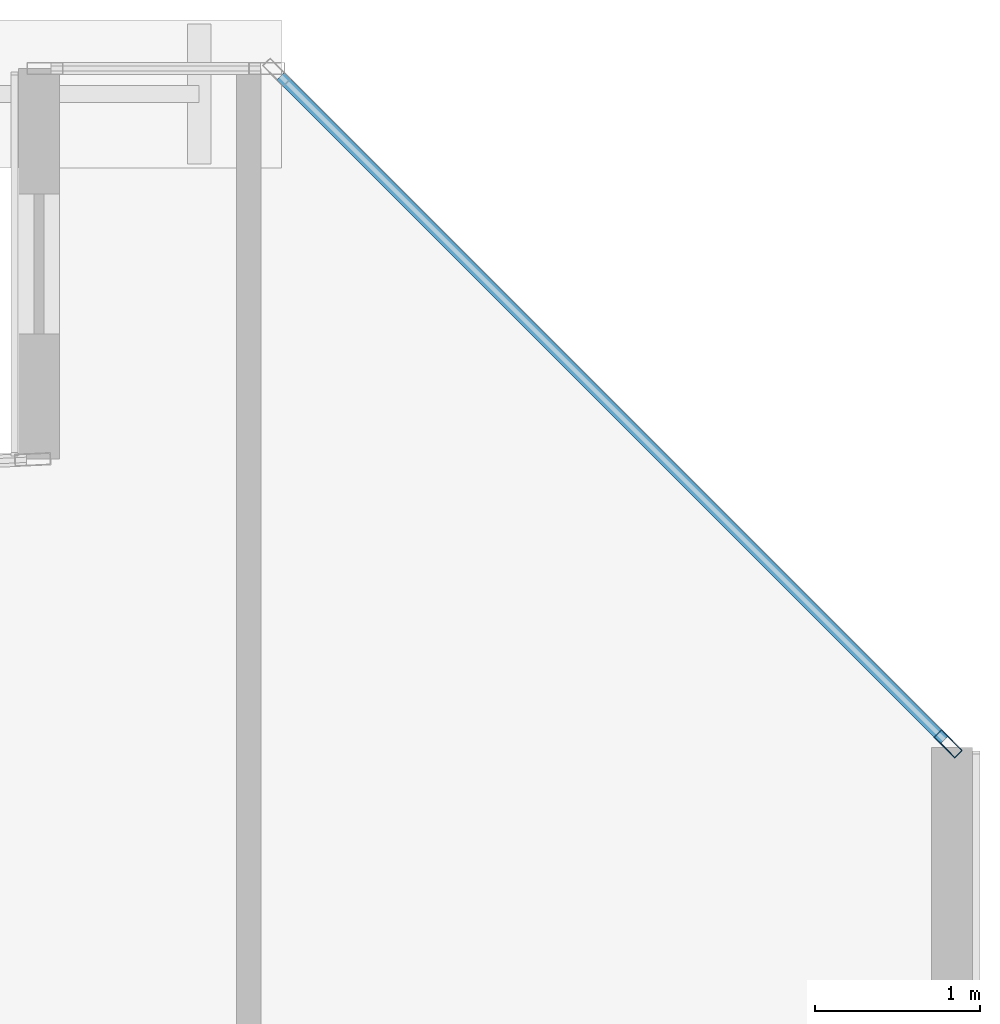
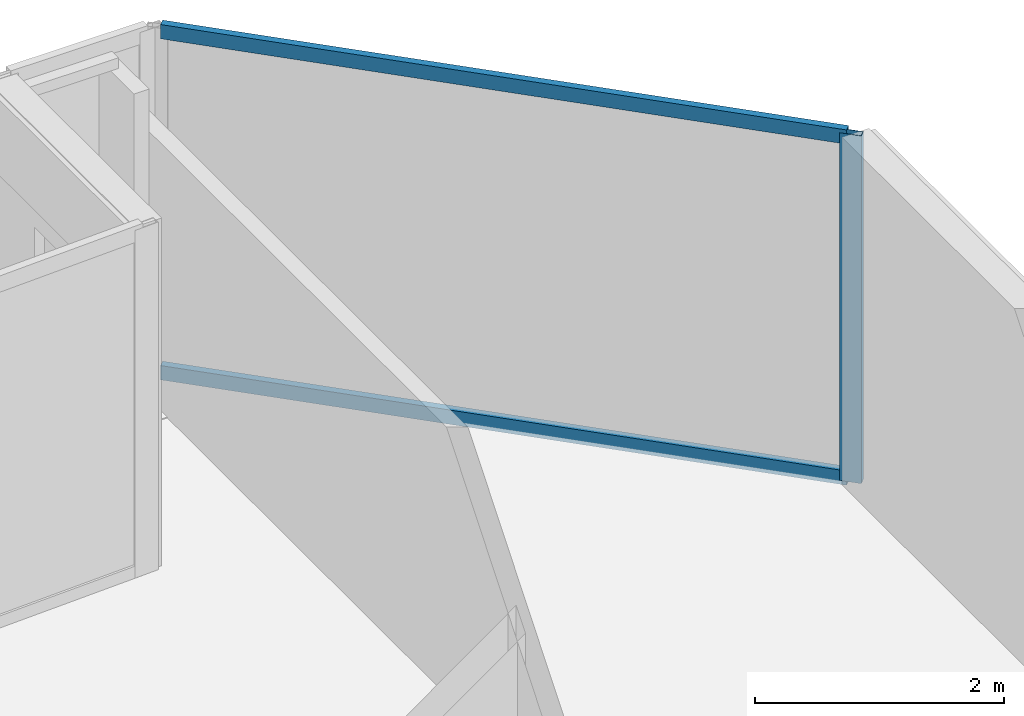
# One storey, part 25 of 39: 3 members, 1 element without a shape of its own.
"""IFC4 building model written with IfcOpenShell, lengths in metres."""

from ifc_helpers import new_model, si_unit, direction, frame, origin, origin_2d, place, context, subcontext, project, spatial, hollow_rectangle, extrude, material, layer, layer_set, material_profile, profile_set, type_object, element, aggregate, save


model = new_model("IFC4")

# Units and contexts
model_context = context("Model", 3, precision=1e-05, world=origin(), true_north=direction((0.0, 1.0)))
body_context = subcontext(model_context, "Body", "Model", "MODEL_VIEW")
ifc_project = project(units=[si_unit("LENGTHUNIT", "METRE"), si_unit("AREAUNIT", "SQUARE_METRE"), si_unit("VOLUMEUNIT", "CUBIC_METRE"), si_unit("PLANEANGLEUNIT", "RADIAN"), si_unit("MASSUNIT", "GRAM", prefix="KILO")], contexts=[model_context])

# Site, building, storey
site_placement = place(None, origin())
site = spatial("IfcSite", under=ifc_project, at=site_placement, CompositionType="ELEMENT")
building_placement = place(site_placement, origin())
building = spatial("IfcBuilding", under=site, at=building_placement, Name="Tanjung Sevakor Pilgrim Tower", CompositionType="ELEMENT")
storey_placement = place(building_placement, frame((0.0, 0.0, 112.199951171875)))
storey = spatial("IfcBuildingStorey", under=building, at=storey_placement, Name="L31", CompositionType="ELEMENT", Elevation=112.199951171875)

# Curtain wall, members
ifc_material_1 = material(Name="Aluminium 6063-T6 and Low-E Glass", Category="aluminium")
ifc_layer = layer(ifc_material_1, 0.179931640625)
ifc_layer_set = layer_set([ifc_layer], Name="CW-SYS-CHAM")
curtain_wall_type = type_object("IfcCurtainWallType", Name="CW-SYS-CHAM", PredefinedType="NOTDEFINED", material=ifc_layer_set)
curtain_wall_placement = place(storey_placement, origin())
curtain_wall = element("IfcCurtainWall", 1, at=curtain_wall_placement, inside=storey, type_object=curtain_wall_type, Name="L31 Curtain Wall CW-CHM-L31-MAIN-17", PredefinedType="NOTDEFINED")
ifc_material_2 = material(Name="Aluminium 6063-T6", Category="aluminium")
ifc_material_profile_1 = material_profile(ifc_material_2, hollow_rectangle(XDim=0.06494140625, YDim=0.179931640625, WallThickness=0.00390625, at=origin_2d()))
ifc_profile_set_1 = profile_set([ifc_material_profile_1], Name="Aluminium 6063-T6")
member_type_1 = type_object("IfcMemberType", Name="TYPE-CWM-1", PredefinedType="MULLION", material=ifc_profile_set_1)
member_1_placement = place(storey_placement, frame((100.251953125, 53.37109375, 0.0), z_axis=(0.0, 0.0, 1.0), x_axis=(-0.707106781187, -0.707106781187, 0.0)))
member_1 = element("IfcMember", 2, at=member_1_placement, type_object=member_type_1, Name="CW-CHM mullion 1", PredefinedType="MULLION", context=body_context, shape_type="SweptSolid", body=[
    extrude(hollow_rectangle(XDim=0.06494140625, YDim=0.179931640625, WallThickness=0.00390625, at=origin_2d()), origin(), (0.0, 0.0, 1.0), 3.41015625),
])
ifc_material_3 = material(Name="Aluminium 6063-T6", Category="aluminium")
ifc_material_profile_2 = material_profile(ifc_material_3, hollow_rectangle(XDim=0.06494140625, YDim=0.139892578125, WallThickness=0.00390625, at=origin_2d()))
ifc_profile_set_2 = profile_set([ifc_material_profile_2], Name="Aluminium 6063-T6")
member_type_2 = type_object("IfcMemberType", Name="TYPE-CWT-1", PredefinedType="USERDEFINED", material=ifc_profile_set_2)
member_2_placement = place(storey_placement, frame((100.22900390625, 53.39404296875, 0.032470703125), z_axis=(-0.707106781187, 0.707106781187, 0.0), x_axis=(-0.707106781187, -0.707106781187, 0.0)))
member_2 = element("IfcMember", 3, at=member_2_placement, type_object=member_type_2, Name="CW-CHM transom 1.1", ObjectType="TRANSOM", PredefinedType="USERDEFINED", context=body_context, shape_type="SweptSolid", body=[
    extrude(hollow_rectangle(XDim=0.06494140625, YDim=0.139892578125, WallThickness=0.00390625, at=origin_2d()), origin(), (0.0, 0.0, 1.0), 5.706298828125),
])
member_3_placement = place(storey_placement, frame((100.22900390625, 53.39404296875, 3.37744140625), z_axis=(-0.707106781187, 0.707106781187, 0.0), x_axis=(-0.707106781187, -0.707106781187, 0.0)))
member_3 = element("IfcMember", 4, at=member_3_placement, type_object=member_type_2, Name="CW-CHM transom 1.2", ObjectType="TRANSOM", PredefinedType="USERDEFINED", context=body_context, shape_type="SweptSolid", body=[
    extrude(hollow_rectangle(XDim=0.06494140625, YDim=0.139892578125, WallThickness=0.00390625, at=origin_2d()), origin(), (0.0, 0.0, 1.0), 5.706298828125),
])
aggregate(curtain_wall, [member_1, member_2, member_3])

save(model, "model.ifc")
